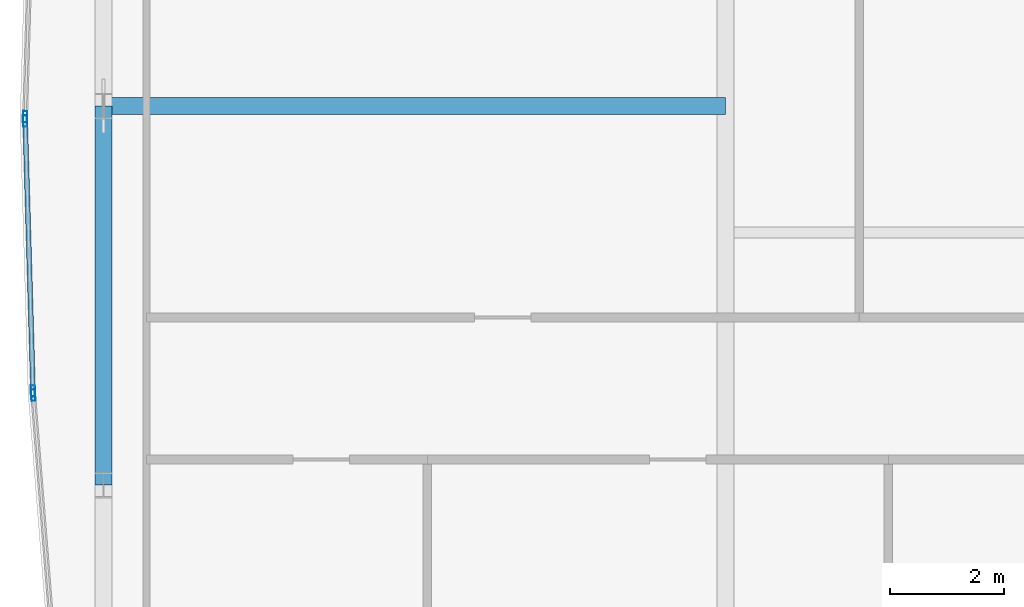
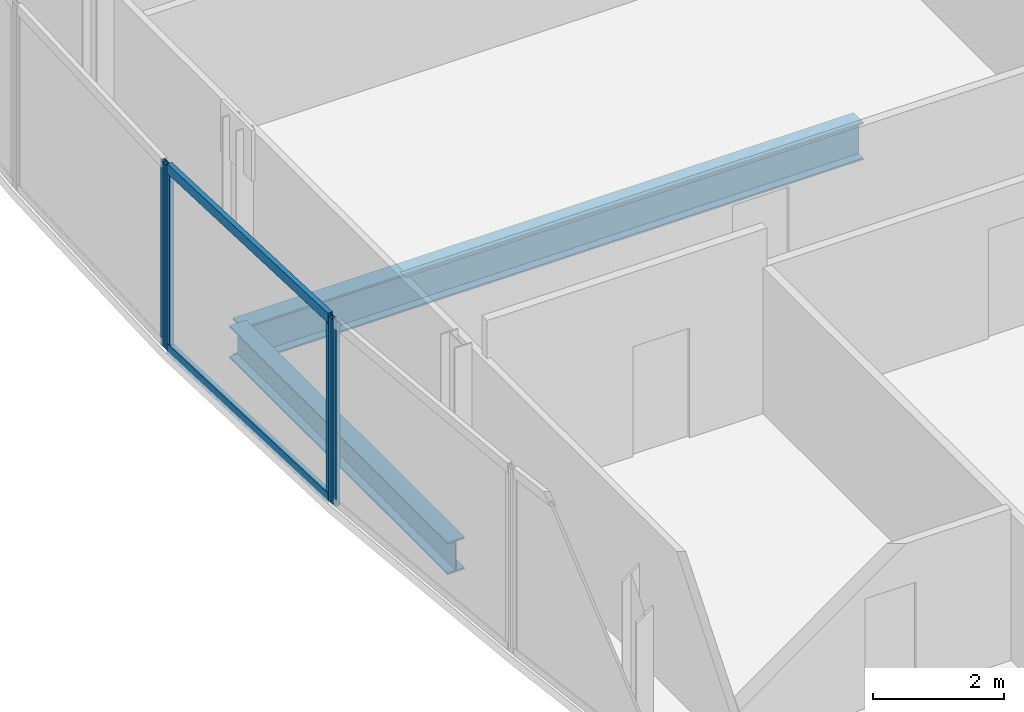
# One storey, part 10 of 32: 6 members, 2 beams, 3 elements without a shape of their own.
"""IFC4 building model written with IfcOpenShell, lengths in metres."""

import ifcopenshell
import ifcopenshell.guid

model = None  # the IFC model being written
_history = None  # IfcOwnerHistory: only IFC2X3 demands one
_inside = {}  # id of a spatial element -> (the spatial element, [elements in it])
_under = {}  # id of a project, library or spatial element -> (it, [spatial elements below it])
_declared = {}  # id of a project -> (the project, [libraries it declares])
_typed = {}  # id of a type object -> (the type object, [elements of that type])
_made_of = {}  # id of a material, layer set ... -> (it, [elements and type objects made of it])


def new_model(schema):
    """Start an empty IFC model of exactly this schema.

    Asked for "IFC4X3", IfcOpenShell would pick the latest addendum, in which some entities
    have other attributes; the version numbers below select the first issue.
    IFC2X3 requires an IfcOwnerHistory on every rooted entity: one is made here for all.
    """
    global model, _history
    if schema == "IFC4X3":
        model = ifcopenshell.file(schema_version=(4, 3, 0, 0))
    else:
        model = ifcopenshell.file(schema=schema)
    _inside.clear()
    _under.clear()
    _declared.clear()
    _typed.clear()
    _made_of.clear()
    _history = None
    if model.schema == "IFC2X3":
        org = make("IfcOrganization", Name="unknown")
        user = make(
            "IfcPersonAndOrganization",
            ThePerson=make("IfcPerson", FamilyName="unknown"),
            TheOrganization=org,
        )
        app = make(
            "IfcApplication",
            ApplicationDeveloper=org,
            Version="unknown",
            ApplicationFullName="unknown",
            ApplicationIdentifier="unknown",
        )
        _history = make(
            "IfcOwnerHistory",
            OwningUser=user,
            OwningApplication=app,
            ChangeAction="ADDED",
            CreationDate=0,
        )
    return model


def make(cls, **values):
    """One entity of the class cls with the attributes given. An attribute that is None is left unset."""
    return model.create_entity(
        cls, **{name: value for name, value in values.items() if value is not None}
    )


def rooted(cls, **values):
    """An entity with a GlobalId (a new one), such as an element, a storey or a relation."""
    return make(cls, GlobalId=ifcopenshell.guid.new(), OwnerHistory=_history, **values)


def si_unit(unit_type, name, prefix=None):
    """IfcSIUnit, for example si_unit("LENGTHUNIT", "METRE", prefix="MILLI")."""
    return make("IfcSIUnit", UnitType=unit_type, Prefix=prefix, Name=name)


def assignment(units):
    """IfcUnitAssignment: the units of a project."""
    return None if units is None else make("IfcUnitAssignment", Units=units)


def point(xyz):
    """IfcCartesianPoint."""
    return None if xyz is None else make("IfcCartesianPoint", Coordinates=xyz)


def direction(xyz):
    """IfcDirection."""
    return None if xyz is None else make("IfcDirection", DirectionRatios=xyz)


def frame(location, z_axis=None, x_axis=None):
    """IfcAxis2Placement3D, a coordinate frame: its origin and axes. An axis left out is left unset."""
    return make(
        "IfcAxis2Placement3D",
        Location=point(location),
        Axis=direction(z_axis),
        RefDirection=direction(x_axis),
    )


def frame_2d(location, x_axis=None):
    """IfcAxis2Placement2D, a coordinate frame in the plane: its origin and x axis."""
    return make(
        "IfcAxis2Placement2D", Location=point(location), RefDirection=direction(x_axis)
    )


def origin():
    """The frame at (0, 0, 0) with its axes left unset."""
    return frame((0.0, 0.0, 0.0))


def origin_2d():
    """The frame at (0, 0) in the plane with its x axis left unset."""
    return frame_2d((0.0, 0.0))


def place(relative_to, where):
    """IfcLocalPlacement: puts the frame where relative to a parent placement (None: the world)."""
    return make(
        "IfcLocalPlacement", PlacementRelTo=relative_to, RelativePlacement=where
    )


def context(
    kind, dimensions, precision=None, world=None, true_north=None, identifier=None
):
    """IfcGeometricRepresentationContext, for example the 3D "Model" context."""
    return make(
        "IfcGeometricRepresentationContext",
        ContextIdentifier=identifier,
        ContextType=kind,
        CoordinateSpaceDimension=dimensions,
        Precision=precision,
        WorldCoordinateSystem=world,
        TrueNorth=true_north,
    )


def subcontext(parent, identifier, kind, view, scale=None):
    """IfcGeometricRepresentationSubContext, for example "Body" below "Model"."""
    return make(
        "IfcGeometricRepresentationSubContext",
        ContextIdentifier=identifier,
        ContextType=kind,
        ParentContext=parent,
        TargetScale=scale,
        TargetView=view,
    )


def project(units=None, contexts=None):
    """IfcProject with its units and contexts."""
    return rooted(
        "IfcProject",
        Name="project",
        RepresentationContexts=contexts,
        UnitsInContext=assignment(units),
    )


def spatial(cls, under=None, at=None, **own):
    """A site, building, storey or space (cls), placed at a placement, below another one or the project."""
    s = rooted(cls, ObjectPlacement=at, **own)
    if under is not None:
        _under.setdefault(under.id(), (under, []))[1].append(s)
    return s


def profile(cls, at=None, kind="AREA", **sizes):
    """A parametric profile (cls). Its sizes go by their IFC names, for example OverallWidth=200.0."""
    return make(cls, ProfileType=kind, Position=at, **sizes)


def hollow_rectangle(**sizes):
    """IfcRectangleHollowProfileDef."""
    return profile("IfcRectangleHollowProfileDef", **sizes)


def i_section(**sizes):
    """IfcIShapeProfileDef."""
    return profile("IfcIShapeProfileDef", **sizes)


def extrude(swept, where, along, depth):
    """IfcExtrudedAreaSolid: the profile swept, set in the frame where, extruded along a direction by depth."""
    return make(
        "IfcExtrudedAreaSolid",
        SweptArea=swept,
        Position=where,
        ExtrudedDirection=direction(along),
        Depth=depth,
    )


def shape(context_of_items, identifier, shape_type, items):
    """IfcShapeRepresentation: the items that make up one representation, for example the "Body"."""
    return make(
        "IfcShapeRepresentation",
        ContextOfItems=context_of_items,
        RepresentationIdentifier=identifier,
        RepresentationType=shape_type,
        Items=items,
    )


def material(Name=None, Category=None):
    """IfcMaterial."""
    return make("IfcMaterial", Name=Name, Category=Category)


def material_profile(
    of_material, cross_section, Name=None, Category=None, Priority=None
):
    """IfcMaterialProfile: a cross section and its material."""
    return make(
        "IfcMaterialProfile",
        Name=Name,
        Material=of_material,
        Profile=cross_section,
        Priority=Priority,
        Category=Category,
    )


def profile_set(profiles, Name=None, composite=None):
    """IfcMaterialProfileSet."""
    return make(
        "IfcMaterialProfileSet",
        Name=Name,
        MaterialProfiles=profiles,
        CompositeProfile=composite,
    )


def made_of(thing, what):
    """Note that an element or type object is made of a material, layer set ...; save() writes the relation."""
    if what is not None:
        _made_of.setdefault(what.id(), (what, []))[1].append(thing)
    return thing


def type_object(cls, material=None, **own):
    """A type object (cls), such as IfcWallType, which elements share."""
    return made_of(rooted(cls, **own), material)


def element(
    cls,
    number,
    at=None,
    inside=None,
    cuts=None,
    type_object=None,
    material=None,
    context=None,
    identifier="Body",
    shape_type=None,
    held_by="IfcProductDefinitionShape",
    body=None,
    shapes=None,
    **own,
):
    """One element of the class cls, such as IfcWall. Its Tag is "e" and its number.

    at: its placement. inside: the storey or other place that contains it. cuts: it is an
    opening in that element (IfcRelVoidsElement). A single representation is given by context,
    identifier, shape_type and body (its items); several are given by shapes. held_by: the class
    of the entity that holds the representations. save() writes the other relations.
    """
    e = rooted(cls, Tag="e%d" % number, ObjectPlacement=at, **own)
    if body is not None:
        shapes = [shape(context, identifier, shape_type, body)]
    if shapes is not None:
        e.Representation = make(held_by, Representations=shapes)
    if inside is not None:
        _inside.setdefault(inside.id(), (inside, []))[1].append(e)
    if cuts is not None:
        rooted(
            "IfcRelVoidsElement", RelatingBuildingElement=cuts, RelatedOpeningElement=e
        )
    if type_object is not None:
        _typed.setdefault(type_object.id(), (type_object, []))[1].append(e)
    return made_of(e, material)


def aggregate(whole, parts):
    """IfcRelAggregates: a whole, such as a stair, and the parts it consists of."""
    return rooted("IfcRelAggregates", RelatingObject=whole, RelatedObjects=parts)


def save(model, path):
    """Write the relations noted so far, then the file.

    IfcRelAggregates (storeys below a building ...), IfcRelContainedInSpatialStructure (elements
    in a storey), IfcRelDefinesByType, IfcRelAssociatesMaterial and IfcRelDeclares: one each for
    every whole, place, type object, material and project.
    """
    for whole, parts in _under.values():
        aggregate(whole, parts)
    for where, things in _inside.values():
        rooted(
            "IfcRelContainedInSpatialStructure",
            RelatedElements=things,
            RelatingStructure=where,
        )
    for kind, things in _typed.values():
        rooted("IfcRelDefinesByType", RelatedObjects=things, RelatingType=kind)
    for what, things in _made_of.values():
        rooted("IfcRelAssociatesMaterial", RelatedObjects=things, RelatingMaterial=what)
    for by, libraries in _declared.values():
        rooted("IfcRelDeclares", RelatingContext=by, RelatedDefinitions=libraries)
    model.write(path)


model = new_model("IFC4")

# Units and contexts
model_context = context("Model", 3, precision=1e-05, world=origin(), true_north=direction((0.0, 1.0)))
body_context = subcontext(model_context, "Body", "Model", "MODEL_VIEW")
ifc_project = project(units=[si_unit("LENGTHUNIT", "METRE"), si_unit("AREAUNIT", "SQUARE_METRE"), si_unit("VOLUMEUNIT", "CUBIC_METRE"), si_unit("PLANEANGLEUNIT", "RADIAN"), si_unit("MASSUNIT", "GRAM", prefix="KILO")], contexts=[model_context])

# Site, building, storey
site_placement = place(None, origin())
site = spatial("IfcSite", under=ifc_project, at=site_placement, CompositionType="ELEMENT")
building_placement = place(site_placement, origin())
building = spatial("IfcBuilding", under=site, at=building_placement, Name="Khoronbel Lancet Exchange", CompositionType="ELEMENT")
storey_placement = place(building_placement, frame((0.0, 0.0, 195.800048828125)))
storey = spatial("IfcBuildingStorey", under=building, at=storey_placement, Name="L49", CompositionType="ELEMENT", Elevation=195.800048828125)

# Beams
ifc_material_1 = material(Name="Steel S355", Category="steel")
ifc_material_profile_1 = material_profile(ifc_material_1, i_section(OverallWidth=0.300048828125, OverallDepth=0.699951171875, WebThickness=0.01708984375, FlangeThickness=0.031982421875, at=origin_2d()), Name="HEB 700")
ifc_profile_set_1 = profile_set([ifc_material_profile_1], Name="Steel S355")
beam_type_1 = type_object("IfcBeamType", Name="BM-BG3", PredefinedType="BEAM", material=ifc_profile_set_1)
beam_1_placement = place(storey_placement, frame((7.27001953125, 31.425048828125, -0.510009765625), z_axis=(1.0, 0.0, 0.0), x_axis=(0.0, 1.0, 0.0)))
element("IfcBeam", 1, at=beam_1_placement, inside=storey, type_object=beam_type_1, Name="Level L49 west lens tie girder LG2W", PredefinedType="BEAM", context=body_context, shape_type="SweptSolid", body=[
    extrude(i_section(OverallWidth=0.300048828125, OverallDepth=0.699951171875, WebThickness=0.01708984375, FlangeThickness=0.031982421875, at=origin_2d()), origin(), (0.0, 0.0, 1.0), 10.955078125),
])
ifc_material_profile_2 = material_profile(ifc_material_1, i_section(OverallWidth=0.300048828125, OverallDepth=0.60009765625, WebThickness=0.015380859375, FlangeThickness=0.030029296875, at=origin_2d()), Name="HEB 600")
ifc_profile_set_2 = profile_set([ifc_material_profile_2], Name="Steel S355")
beam_type_2 = type_object("IfcBeamType", Name="BM-BSP2", PredefinedType="SPANDREL", material=ifc_profile_set_2)
beam_2_placement = place(storey_placement, frame((7.27001953125, 31.425048828125, -0.4599609375), z_axis=(0.0, -1.0, 0.0), x_axis=(1.0, 0.0, 0.0)))
element("IfcBeam", 2, at=beam_2_placement, inside=storey, type_object=beam_type_2, Name="Level L49 perimeter spandrel beam SP19", PredefinedType="SPANDREL", context=body_context, shape_type="SweptSolid", body=[
    extrude(i_section(OverallWidth=0.300048828125, OverallDepth=0.60009765625, WebThickness=0.015380859375, FlangeThickness=0.030029296875, at=origin_2d()), origin(), (0.0, 0.0, 1.0), 6.675048828125),
])

# Curtain wall, member
ifc_material_2 = material(Name="Low-E Solar Control Insulating Glass", Category="glass")
curtain_wall_type = type_object("IfcCurtainWallType", Name="CW-4", PredefinedType="NOTDEFINED", material=ifc_material_2)
curtain_wall_1_placement = place(storey_placement, origin())
curtain_wall_1 = element("IfcCurtainWall", 3, at=curtain_wall_1_placement, inside=storey, type_object=curtain_wall_type, Name="Unitised curtain wall CW-L49-E05", PredefinedType="NOTDEFINED")
ifc_material_3 = material(Name="Bronze-Anodised Aluminium 6063-T6", Category="aluminium")
ifc_material_profile_3 = material_profile(ifc_material_3, hollow_rectangle(XDim=0.074951171875, YDim=0.199951171875, WallThickness=0.0048828125, at=origin_2d()), Name="ALU MULLION 75x200")
ifc_profile_set_3 = profile_set([ifc_material_profile_3], Name="Bronze-Anodised Aluminium 6063-T6")
member_type_1 = type_object("IfcMemberType", Name="MEM-CWM2", PredefinedType="MULLION", material=ifc_profile_set_3)
member_1_placement = place(storey_placement, frame((6.03369140625, 26.334228515625, 0.0), z_axis=(0.0, 0.0, 1.0), x_axis=(-0.996854401909, -0.079254661653, 0.0)))
member_1 = element("IfcMember", 4, at=member_1_placement, type_object=member_type_1, Name="CW4 mullion 2", PredefinedType="MULLION", context=body_context, shape_type="SweptSolid", body=[
    extrude(hollow_rectangle(XDim=0.074951171875, YDim=0.199951171875, WallThickness=0.0048828125, at=origin_2d()), origin(), (0.0, 0.0, 1.0), 3.43994140625),
])
aggregate(curtain_wall_1, [member_1])

# Curtain wall, members
curtain_wall_2_placement = place(storey_placement, origin())
curtain_wall_2 = element("IfcCurtainWall", 5, at=curtain_wall_2_placement, inside=storey, type_object=curtain_wall_type, Name="Unitised curtain wall CW-L49-E06", PredefinedType="NOTDEFINED")
member_2_placement = place(storey_placement, frame((6.029541015625, 26.4091796875, 0.0), z_axis=(0.0, 0.0, 1.0), x_axis=(-0.999576300376, -0.029107039142, 0.0)))
member_2 = element("IfcMember", 6, at=member_2_placement, type_object=member_type_1, Name="CW4 mullion 1", PredefinedType="MULLION", context=body_context, shape_type="SweptSolid", body=[
    extrude(hollow_rectangle(XDim=0.074951171875, YDim=0.199951171875, WallThickness=0.0048828125, at=origin_2d()), origin(), (0.0, 0.0, 1.0), 3.43994140625),
])
member_3_placement = place(storey_placement, frame((5.89111328125, 31.16259765625, 0.0), z_axis=(0.0, 0.0, 1.0), x_axis=(-0.999576300376, -0.029107039142, 0.0)))
member_3 = element("IfcMember", 7, at=member_3_placement, type_object=member_type_1, Name="CW4 mullion 2", PredefinedType="MULLION", context=body_context, shape_type="SweptSolid", body=[
    extrude(hollow_rectangle(XDim=0.074951171875, YDim=0.199951171875, WallThickness=0.0048828125, at=origin_2d()), origin(), (0.0, 0.0, 1.0), 3.43994140625),
])

# Curtain wall, member
curtain_wall_3_placement = place(storey_placement, origin())
curtain_wall_3 = element("IfcCurtainWall", 8, at=curtain_wall_3_placement, inside=storey, type_object=curtain_wall_type, Name="Unitised curtain wall CW-L49-E07", PredefinedType="NOTDEFINED")
member_4_placement = place(storey_placement, frame((5.89111328125, 31.237548828125, 0.0), z_axis=(0.0, 0.0, 1.0), x_axis=(-0.999576300376, 0.029107039142, 0.0)))
member_4 = element("IfcMember", 9, at=member_4_placement, type_object=member_type_1, Name="CW4 mullion 1", PredefinedType="MULLION", context=body_context, shape_type="SweptSolid", body=[
    extrude(hollow_rectangle(XDim=0.074951171875, YDim=0.199951171875, WallThickness=0.0048828125, at=origin_2d()), origin(), (0.0, 0.0, 1.0), 3.43994140625),
])
aggregate(curtain_wall_3, [member_4])

# Member
ifc_material_profile_4 = material_profile(ifc_material_3, hollow_rectangle(XDim=0.0849609375, YDim=0.179931640625, WallThickness=0.0048828125, at=origin_2d()), Name="ALU TRANSOM 85x180")
ifc_profile_set_4 = profile_set([ifc_material_profile_4], Name="Bronze-Anodised Aluminium 6063-T6")
member_type_2 = type_object("IfcMemberType", Name="MEM-CWT1", PredefinedType="USERDEFINED", material=ifc_profile_set_4)
member_5_placement = place(storey_placement, frame((6.0283203125, 26.446533203125, 0.04248046875), z_axis=(-0.029106277096, 0.999576322566, 0.0), x_axis=(-0.999576322566, -0.029106277096, 0.0)))
member_5 = element("IfcMember", 10, at=member_5_placement, type_object=member_type_2, Name="CW4 transom 1.1", ObjectType="TRANSOM", PredefinedType="USERDEFINED", context=body_context, shape_type="SweptSolid", body=[
    extrude(hollow_rectangle(XDim=0.0849609375, YDim=0.179931640625, WallThickness=0.0048828125, at=origin_2d()), origin(), (0.0, 0.0, 1.0), 4.680419921875),
])

member_6_placement = place(storey_placement, frame((6.0283203125, 26.446533203125, 3.3974609375), z_axis=(-0.029106277096, 0.999576322566, 0.0), x_axis=(-0.999576322566, -0.029106277096, 0.0)))
member_6 = element("IfcMember", 11, at=member_6_placement, type_object=member_type_2, Name="CW4 transom 1.2", ObjectType="TRANSOM", PredefinedType="USERDEFINED", context=body_context, shape_type="SweptSolid", body=[
    extrude(hollow_rectangle(XDim=0.0849609375, YDim=0.179931640625, WallThickness=0.0048828125, at=origin_2d()), origin(), (0.0, 0.0, 1.0), 4.680419921875),
])

aggregate(curtain_wall_2, [member_2, member_3, member_5, member_6])

save(model, "model.ifc")
